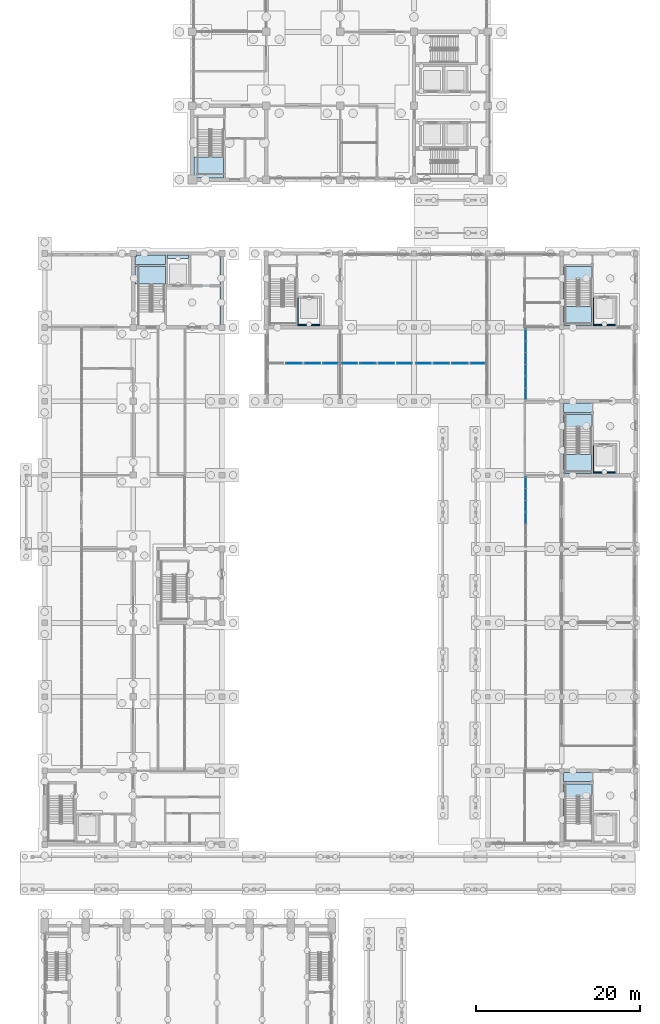
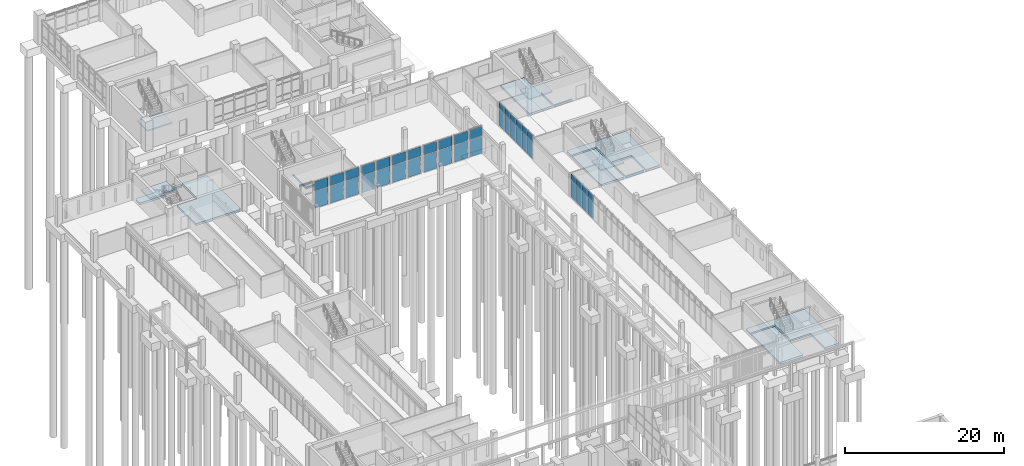
# One storey, part 61 of 106: 42 plates, 15 slabs, 17 elements without a shape of their own.
"""IFC4 building model written with IfcOpenShell, lengths in metres."""

from ifc_helpers import new_model, si_unit, direction, frame, origin, origin_2d, place, context, subcontext, project, spatial, polyline, rectangle, outline, extrude, material, layer, layer_set, type_object, element, aggregate, save


model = new_model("IFC4")

# Units and contexts
model_context = context("Model", 3, precision=1e-05, world=origin(), true_north=direction((0.0, 1.0)))
body_context = subcontext(model_context, "Body", "Model", "MODEL_VIEW")
ifc_project = project(units=[si_unit("LENGTHUNIT", "METRE"), si_unit("AREAUNIT", "SQUARE_METRE"), si_unit("VOLUMEUNIT", "CUBIC_METRE"), si_unit("PLANEANGLEUNIT", "RADIAN"), si_unit("MASSUNIT", "GRAM", prefix="KILO")], contexts=[model_context])

# Site, building, storey
site_placement = place(None, origin())
site = spatial("IfcSite", under=ifc_project, at=site_placement, CompositionType="ELEMENT")
building_placement = place(site_placement, origin())
building = spatial("IfcBuilding", under=site, at=building_placement, Name="Merrow Basin Faculty of Sciences", CompositionType="ELEMENT")
storey_placement = place(building_placement, origin())
storey = spatial("IfcBuildingStorey", under=building, at=storey_placement, Name="L00", CompositionType="ELEMENT", Elevation=0.0)

# Slabs
ifc_material_1 = material(Name="Concrete C40/50", Category="concrete")
ifc_layer_1 = layer(ifc_material_1, 0.300048828125)
ifc_layer_set_1 = layer_set([ifc_layer_1], Name="Ground slab 300 Concrete C40/50")
slab_type_1 = type_object("IfcSlabType", Name="Ground slab 300 Concrete C40/50", PredefinedType="BASESLAB", material=ifc_layer_set_1)
slab_1_placement = place(storey_placement, frame((0.0, 0.0, -0.300048828125)))
element("IfcSlab", 1, at=slab_1_placement, inside=storey, type_object=slab_type_1, Name="SL3 ground L00 004", PredefinedType="BASESLAB", context=body_context, shape_type="SweptSolid", body=[
    extrude(outline(polyline([(63.27490234375, 69.800048828125), (71.72509765625, 69.800048828125), (71.72509765625, 69.72509765625), (71.800048828125, 69.72509765625), (71.800048828125, 61.27490234375), (71.72509765625, 61.27490234375), (71.72509765625, 61.199951171875), (69.75, 61.199951171875), (69.75, 64.60009765625), (69.75, 64.85009765625), (66.85009765625, 64.85009765625), (66.85009765625, 68.39990234375), (66.85009765625, 68.64990234375), (63.199951171875, 68.64990234375), (63.199951171875, 69.72509765625), (63.27490234375, 69.72509765625), (63.27490234375, 69.800048828125)])), origin(), (0.0, 0.0, 1.0), 0.300048828125),
])
slab_2_placement = place(storey_placement, frame((0.0, 0.0, -0.300048828125)))
element("IfcSlab", 2, at=slab_2_placement, inside=storey, type_object=slab_type_1, Name="SL3 ground L00 005", PredefinedType="BASESLAB", context=body_context, shape_type="SweptSolid", body=[
    extrude(outline(polyline([(63.27490234375, 114.72509765625), (63.27490234375, 114.800048828125), (71.72509765625, 114.800048828125), (71.72509765625, 114.72509765625), (71.800048828125, 114.72509765625), (71.800048828125, 106.27490234375), (71.72509765625, 106.27490234375), (71.72509765625, 106.199951171875), (69.75, 106.199951171875), (69.75, 109.60009765625), (69.75, 109.85009765625), (66.85009765625, 109.85009765625), (66.85009765625, 113.39990234375), (66.85009765625, 113.64990234375), (63.199951171875, 113.64990234375), (63.199951171875, 114.72509765625), (63.27490234375, 114.72509765625)])), origin(), (0.0, 0.0, 1.0), 0.300048828125),
])
slab_3_placement = place(storey_placement, frame((0.0, 0.0, -0.300048828125)))
element("IfcSlab", 3, at=slab_3_placement, inside=storey, type_object=slab_type_1, Name="SL3 ground L00 007", PredefinedType="BASESLAB", context=body_context, shape_type="SweptSolid", body=[
    extrude(outline(polyline([(63.199951171875, 61.27490234375), (63.199951171875, 68.39990234375), (66.60009765625, 68.39990234375), (66.60009765625, 61.199951171875), (63.27490234375, 61.199951171875), (63.27490234375, 61.27490234375), (63.199951171875, 61.27490234375)])), origin(), (0.0, 0.0, 1.0), 0.300048828125),
])
slab_4_placement = place(storey_placement, frame((0.0, 0.0, -0.300048828125)))
element("IfcSlab", 4, at=slab_4_placement, inside=storey, type_object=slab_type_1, Name="SL3 ground L00 008", PredefinedType="BASESLAB", context=body_context, shape_type="SweptSolid", body=[
    extrude(outline(polyline([(63.27490234375, 106.27490234375), (63.199951171875, 106.27490234375), (63.199951171875, 113.39990234375), (66.60009765625, 113.39990234375), (66.60009765625, 106.199951171875), (63.27490234375, 106.199951171875), (63.27490234375, 106.27490234375)])), origin(), (0.0, 0.0, 1.0), 0.300048828125),
])
slab_5_placement = place(storey_placement, frame((0.0, 0.0, -0.300048828125)))
element("IfcSlab", 5, at=slab_5_placement, inside=storey, type_object=slab_type_1, Name="SL3 ground L00 009", PredefinedType="BASESLAB", context=body_context, shape_type="SweptSolid", body=[
    extrude(outline(polyline([(66.60009765625, 124.199951171875), (63.27490234375, 124.199951171875), (63.27490234375, 124.27490234375), (63.199951171875, 124.27490234375), (63.199951171875, 131.39990234375), (66.60009765625, 131.39990234375), (66.60009765625, 124.199951171875)])), origin(), (0.0, 0.0, 1.0), 0.300048828125),
])
slab_6_placement = place(storey_placement, frame((0.0, 0.0, -0.300048828125)))
element("IfcSlab", 6, at=slab_6_placement, inside=storey, type_object=slab_type_1, Name="SL3 ground L00 010", PredefinedType="BASESLAB", context=body_context, shape_type="SweptSolid", body=[
    extrude(outline(polyline([(69.5, 106.199951171875), (66.85009765625, 106.199951171875), (66.85009765625, 109.60009765625), (66.89990234375, 109.60009765625), (66.89990234375, 106.39990234375), (69.5, 106.39990234375), (69.5, 106.199951171875)])), origin(), (0.0, 0.0, 1.0), 0.300048828125),
])
slab_7_placement = place(storey_placement, frame((0.0, 0.0, -0.300048828125)))
element("IfcSlab", 7, at=slab_7_placement, inside=storey, type_object=slab_type_1, Name="SL3 ground L00 011", PredefinedType="BASESLAB", context=body_context, shape_type="SweptSolid", body=[
    extrude(outline(polyline([(69.5, 124.199951171875), (66.85009765625, 124.199951171875), (66.85009765625, 127.60009765625), (66.89990234375, 127.60009765625), (66.89990234375, 124.39990234375), (69.5, 124.39990234375), (69.5, 124.199951171875)])), origin(), (0.0, 0.0, 1.0), 0.300048828125),
])
slab_8_placement = place(storey_placement, frame((0.0, 0.0, -0.300048828125)))
element("IfcSlab", 8, at=slab_8_placement, inside=storey, type_object=slab_type_1, Name="SL3 ground L00 013", PredefinedType="BASESLAB", context=body_context, shape_type="SweptSolid", body=[
    extrude(outline(polyline([(33.5, 124.199951171875), (30.85009765625, 124.199951171875), (30.85009765625, 127.60009765625), (30.89990234375, 127.60009765625), (30.89990234375, 124.39990234375), (33.5, 124.39990234375), (33.5, 124.199951171875)])), origin(), (0.0, 0.0, 1.0), 0.300048828125),
])
slab_9_placement = place(storey_placement, frame((0.0, 0.0, -0.300048828125)))
element("IfcSlab", 9, at=slab_9_placement, inside=storey, type_object=slab_type_1, Name="SL3 ground L00 003", PredefinedType="BASESLAB", context=body_context, shape_type="SweptSolid", body=[
    extrude(outline(polyline([(21.39990234375, 124.35009765625), (21.25, 124.35009765625), (21.25, 124.199951171875), (14.85009765625, 124.199951171875), (14.85009765625, 128.949951171875), (17.800048828125, 128.949951171875), (17.800048828125, 129.199951171875), (17.800048828125, 132.800048828125), (21.25, 132.800048828125), (21.25, 132.64990234375), (21.39990234375, 132.64990234375), (21.39990234375, 124.35009765625)])), origin(), (0.0, 0.0, 1.0), 0.300048828125),
])
slab_10_placement = place(storey_placement, frame((0.0, 0.0, -0.300048828125)))
element("IfcSlab", 10, at=slab_10_placement, inside=storey, type_object=slab_type_1, Name="SL3 ground L00 008", PredefinedType="BASESLAB", context=body_context, shape_type="SweptSolid", body=[
    extrude(outline(polyline([(11.0, 132.625), (11.175048828125, 132.625), (11.175048828125, 132.800048828125), (14.699951171875, 132.800048828125), (14.699951171875, 131.64990234375), (11.0, 131.64990234375), (11.0, 132.625)])), origin(), (0.0, 0.0, 1.0), 0.300048828125),
])
slab_11_placement = place(storey_placement, frame((0.0, 0.0, -0.300048828125)))
element("IfcSlab", 11, at=slab_11_placement, inside=storey, type_object=slab_type_1, Name="SL3 ground L00 009", PredefinedType="BASESLAB", context=body_context, shape_type="SweptSolid", body=[
    extrude(outline(polyline([(14.949951171875, 132.800048828125), (17.550048828125, 132.800048828125), (17.550048828125, 132.39990234375), (14.949951171875, 132.39990234375), (14.949951171875, 132.800048828125)])), origin(), (0.0, 0.0, 1.0), 0.300048828125),
])

# Curtain wall, plates
ifc_material_2 = material(Name="Aluminium alloy 6063", Category="aluminium")
curtain_wall_type = type_object("IfcCurtainWallType", Name="Arcade curtain wall 220", PredefinedType="NOTDEFINED", material=ifc_material_2)
curtain_wall_1_placement = place(storey_placement, origin())
curtain_wall_1 = element("IfcCurtainWall", 12, at=curtain_wall_1_placement, inside=storey, type_object=curtain_wall_type, Name="Arcade curtain wall L00 4", PredefinedType="NOTDEFINED")
ifc_material_3 = material(Name="Laminated safety glass", Category="glass")
ifc_layer_2 = layer(ifc_material_3, 0.035888671875)
ifc_layer_set_2 = layer_set([ifc_layer_2], Name="Laminated safety glass panel 36")
plate_type = type_object("IfcPlateType", Name="Laminated safety glass panel 36", PredefinedType="CURTAIN_PANEL", material=ifc_layer_set_2)
plate_1_placement = place(storey_placement, frame((58.610107421875, 100.783447265625, 0.06005859375), z_axis=(0.0, 0.0, 1.0), x_axis=(0.0, 1.0, 0.0)))
plate_1 = element("IfcPlate", 13, at=plate_1_placement, type_object=plate_type, Name="CW9 panel 3.1", PredefinedType="CURTAIN_PANEL", context=body_context, shape_type="SweptSolid", body=[
    extrude(rectangle(XDim=1.373291015625, YDim=0.035888671875, at=origin_2d()), origin(), (0.0, 0.0, 1.0), 2.610107421875),
])
plate_2_placement = place(storey_placement, frame((58.610107421875, 100.783447265625, 2.72998046875), z_axis=(0.0, 0.0, 1.0), x_axis=(0.0, 1.0, 0.0)))
plate_2 = element("IfcPlate", 14, at=plate_2_placement, type_object=plate_type, Name="CW9 panel 3.2", PredefinedType="CURTAIN_PANEL", context=body_context, shape_type="SweptSolid", body=[
    extrude(rectangle(XDim=1.373291015625, YDim=0.035888671875, at=origin_2d()), origin(), (0.0, 0.0, 1.0), 0.909912109375),
])
plate_3_placement = place(storey_placement, frame((58.610107421875, 102.216552734375, 0.06005859375), z_axis=(0.0, 0.0, 1.0), x_axis=(0.0, 1.0, 0.0)))
plate_3 = element("IfcPlate", 15, at=plate_3_placement, type_object=plate_type, Name="CW9 panel 4.1", PredefinedType="CURTAIN_PANEL", context=body_context, shape_type="SweptSolid", body=[
    extrude(rectangle(XDim=1.373291015625, YDim=0.035888671875, at=origin_2d()), origin(), (0.0, 0.0, 1.0), 2.610107421875),
])
plate_4_placement = place(storey_placement, frame((58.610107421875, 102.216552734375, 2.72998046875), z_axis=(0.0, 0.0, 1.0), x_axis=(0.0, 1.0, 0.0)))
plate_4 = element("IfcPlate", 16, at=plate_4_placement, type_object=plate_type, Name="CW9 panel 4.2", PredefinedType="CURTAIN_PANEL", context=body_context, shape_type="SweptSolid", body=[
    extrude(rectangle(XDim=1.373291015625, YDim=0.035888671875, at=origin_2d()), origin(), (0.0, 0.0, 1.0), 0.909912109375),
])
plate_5_placement = place(storey_placement, frame((58.610107421875, 103.64990234375, 0.06005859375), z_axis=(0.0, 0.0, 1.0), x_axis=(0.0, 1.0, 0.0)))
plate_5 = element("IfcPlate", 17, at=plate_5_placement, type_object=plate_type, Name="CW9 panel 5.1", PredefinedType="CURTAIN_PANEL", context=body_context, shape_type="SweptSolid", body=[
    extrude(rectangle(XDim=1.373291015625, YDim=0.035888671875, at=origin_2d()), origin(), (0.0, 0.0, 1.0), 2.610107421875),
])
plate_6_placement = place(storey_placement, frame((58.610107421875, 103.64990234375, 2.72998046875), z_axis=(0.0, 0.0, 1.0), x_axis=(0.0, 1.0, 0.0)))
plate_6 = element("IfcPlate", 18, at=plate_6_placement, type_object=plate_type, Name="CW9 panel 5.2", PredefinedType="CURTAIN_PANEL", context=body_context, shape_type="SweptSolid", body=[
    extrude(rectangle(XDim=1.373291015625, YDim=0.035888671875, at=origin_2d()), origin(), (0.0, 0.0, 1.0), 0.909912109375),
])
plate_7_placement = place(storey_placement, frame((58.610107421875, 105.068359375, 0.06005859375), z_axis=(0.0, 0.0, 1.0), x_axis=(0.0, 1.0, 0.0)))
plate_7 = element("IfcPlate", 19, at=plate_7_placement, type_object=plate_type, Name="CW9 panel 6.1", PredefinedType="CURTAIN_PANEL", context=body_context, shape_type="SweptSolid", body=[
    extrude(rectangle(XDim=1.34326171875, YDim=0.035888671875, at=origin_2d()), origin(), (0.0, 0.0, 1.0), 2.610107421875),
])
plate_8_placement = place(storey_placement, frame((58.610107421875, 105.068359375, 2.72998046875), z_axis=(0.0, 0.0, 1.0), x_axis=(0.0, 1.0, 0.0)))
plate_8 = element("IfcPlate", 20, at=plate_8_placement, type_object=plate_type, Name="CW9 panel 6.2", PredefinedType="CURTAIN_PANEL", context=body_context, shape_type="SweptSolid", body=[
    extrude(rectangle(XDim=1.34326171875, YDim=0.035888671875, at=origin_2d()), origin(), (0.0, 0.0, 1.0), 0.909912109375),
])
aggregate(curtain_wall_1, [plate_1, plate_2, plate_3, plate_4, plate_5, plate_6, plate_7, plate_8])

curtain_wall_2_placement = place(storey_placement, origin())
curtain_wall_2 = element("IfcCurtainWall", 21, at=curtain_wall_2_placement, inside=storey, type_object=curtain_wall_type, Name="Arcade curtain wall L00 5", PredefinedType="NOTDEFINED")
plate_9_placement = place(storey_placement, frame((58.610107421875, 115.931640625, 0.06005859375), z_axis=(0.0, 0.0, 1.0), x_axis=(0.0, 1.0, 0.0)))
plate_9 = element("IfcPlate", 22, at=plate_9_placement, type_object=plate_type, Name="CW9 panel 1.1", PredefinedType="CURTAIN_PANEL", context=body_context, shape_type="SweptSolid", body=[
    extrude(rectangle(XDim=1.34326171875, YDim=0.035888671875, at=origin_2d()), origin(), (0.0, 0.0, 1.0), 2.610107421875),
])
plate_10_placement = place(storey_placement, frame((58.610107421875, 115.931640625, 2.72998046875), z_axis=(0.0, 0.0, 1.0), x_axis=(0.0, 1.0, 0.0)))
plate_10 = element("IfcPlate", 23, at=plate_10_placement, type_object=plate_type, Name="CW9 panel 1.2", PredefinedType="CURTAIN_PANEL", context=body_context, shape_type="SweptSolid", body=[
    extrude(rectangle(XDim=1.34326171875, YDim=0.035888671875, at=origin_2d()), origin(), (0.0, 0.0, 1.0), 0.909912109375),
])
plate_11_placement = place(storey_placement, frame((58.610107421875, 117.35009765625, 0.06005859375), z_axis=(0.0, 0.0, 1.0), x_axis=(0.0, 1.0, 0.0)))
plate_11 = element("IfcPlate", 24, at=plate_11_placement, type_object=plate_type, Name="CW9 panel 2.1", PredefinedType="CURTAIN_PANEL", context=body_context, shape_type="SweptSolid", body=[
    extrude(rectangle(XDim=1.373291015625, YDim=0.035888671875, at=origin_2d()), origin(), (0.0, 0.0, 1.0), 2.610107421875),
])
plate_12_placement = place(storey_placement, frame((58.610107421875, 117.35009765625, 2.72998046875), z_axis=(0.0, 0.0, 1.0), x_axis=(0.0, 1.0, 0.0)))
plate_12 = element("IfcPlate", 25, at=plate_12_placement, type_object=plate_type, Name="CW9 panel 2.2", PredefinedType="CURTAIN_PANEL", context=body_context, shape_type="SweptSolid", body=[
    extrude(rectangle(XDim=1.373291015625, YDim=0.035888671875, at=origin_2d()), origin(), (0.0, 0.0, 1.0), 0.909912109375),
])
plate_13_placement = place(storey_placement, frame((58.610107421875, 118.783447265625, 0.06005859375), z_axis=(0.0, 0.0, 1.0), x_axis=(0.0, 1.0, 0.0)))
plate_13 = element("IfcPlate", 26, at=plate_13_placement, type_object=plate_type, Name="CW9 panel 3.1", PredefinedType="CURTAIN_PANEL", context=body_context, shape_type="SweptSolid", body=[
    extrude(rectangle(XDim=1.373291015625, YDim=0.035888671875, at=origin_2d()), origin(), (0.0, 0.0, 1.0), 2.610107421875),
])
plate_14_placement = place(storey_placement, frame((58.610107421875, 118.783447265625, 2.72998046875), z_axis=(0.0, 0.0, 1.0), x_axis=(0.0, 1.0, 0.0)))
plate_14 = element("IfcPlate", 27, at=plate_14_placement, type_object=plate_type, Name="CW9 panel 3.2", PredefinedType="CURTAIN_PANEL", context=body_context, shape_type="SweptSolid", body=[
    extrude(rectangle(XDim=1.373291015625, YDim=0.035888671875, at=origin_2d()), origin(), (0.0, 0.0, 1.0), 0.909912109375),
])
plate_15_placement = place(storey_placement, frame((58.610107421875, 120.216552734375, 0.06005859375), z_axis=(0.0, 0.0, 1.0), x_axis=(0.0, 1.0, 0.0)))
plate_15 = element("IfcPlate", 28, at=plate_15_placement, type_object=plate_type, Name="CW9 panel 4.1", PredefinedType="CURTAIN_PANEL", context=body_context, shape_type="SweptSolid", body=[
    extrude(rectangle(XDim=1.373291015625, YDim=0.035888671875, at=origin_2d()), origin(), (0.0, 0.0, 1.0), 2.610107421875),
])
plate_16_placement = place(storey_placement, frame((58.610107421875, 120.216552734375, 2.72998046875), z_axis=(0.0, 0.0, 1.0), x_axis=(0.0, 1.0, 0.0)))
plate_16 = element("IfcPlate", 29, at=plate_16_placement, type_object=plate_type, Name="CW9 panel 4.2", PredefinedType="CURTAIN_PANEL", context=body_context, shape_type="SweptSolid", body=[
    extrude(rectangle(XDim=1.373291015625, YDim=0.035888671875, at=origin_2d()), origin(), (0.0, 0.0, 1.0), 0.909912109375),
])
plate_17_placement = place(storey_placement, frame((58.610107421875, 121.64990234375, 0.06005859375), z_axis=(0.0, 0.0, 1.0), x_axis=(0.0, 1.0, 0.0)))
plate_17 = element("IfcPlate", 30, at=plate_17_placement, type_object=plate_type, Name="CW9 panel 5.1", PredefinedType="CURTAIN_PANEL", context=body_context, shape_type="SweptSolid", body=[
    extrude(rectangle(XDim=1.373291015625, YDim=0.035888671875, at=origin_2d()), origin(), (0.0, 0.0, 1.0), 2.610107421875),
])
plate_18_placement = place(storey_placement, frame((58.610107421875, 121.64990234375, 2.72998046875), z_axis=(0.0, 0.0, 1.0), x_axis=(0.0, 1.0, 0.0)))
plate_18 = element("IfcPlate", 31, at=plate_18_placement, type_object=plate_type, Name="CW9 panel 5.2", PredefinedType="CURTAIN_PANEL", context=body_context, shape_type="SweptSolid", body=[
    extrude(rectangle(XDim=1.373291015625, YDim=0.035888671875, at=origin_2d()), origin(), (0.0, 0.0, 1.0), 0.909912109375),
])
plate_19_placement = place(storey_placement, frame((58.610107421875, 123.068359375, 0.06005859375), z_axis=(0.0, 0.0, 1.0), x_axis=(0.0, 1.0, 0.0)))
plate_19 = element("IfcPlate", 32, at=plate_19_placement, type_object=plate_type, Name="CW9 panel 6.1", PredefinedType="CURTAIN_PANEL", context=body_context, shape_type="SweptSolid", body=[
    extrude(rectangle(XDim=1.34326171875, YDim=0.035888671875, at=origin_2d()), origin(), (0.0, 0.0, 1.0), 2.610107421875),
])
plate_20_placement = place(storey_placement, frame((58.610107421875, 123.068359375, 2.72998046875), z_axis=(0.0, 0.0, 1.0), x_axis=(0.0, 1.0, 0.0)))
plate_20 = element("IfcPlate", 33, at=plate_20_placement, type_object=plate_type, Name="CW9 panel 6.2", PredefinedType="CURTAIN_PANEL", context=body_context, shape_type="SweptSolid", body=[
    extrude(rectangle(XDim=1.34326171875, YDim=0.035888671875, at=origin_2d()), origin(), (0.0, 0.0, 1.0), 0.909912109375),
])
aggregate(curtain_wall_2, [plate_9, plate_10, plate_11, plate_12, plate_13, plate_14, plate_15, plate_16, plate_17, plate_18, plate_19, plate_20])

curtain_wall_3_placement = place(storey_placement, origin())
curtain_wall_3 = element("IfcCurtainWall", 34, at=curtain_wall_3_placement, inside=storey, type_object=curtain_wall_type, Name="Arcade curtain wall L00 2", PredefinedType="NOTDEFINED")
plate_21_placement = place(storey_placement, frame((30.375, 119.610107421875, 0.06005859375), z_axis=(0.0, 0.0, 1.0), x_axis=(1.0, 0.0, 0.0)))
plate_21 = element("IfcPlate", 35, at=plate_21_placement, type_object=plate_type, Name="CW9 panel 1.1", PredefinedType="CURTAIN_PANEL", context=body_context, shape_type="SweptSolid", body=[
    extrude(rectangle(XDim=1.8798828125, YDim=0.035888671875, at=origin_2d()), origin(), (0.0, 0.0, 1.0), 2.610107421875),
])
plate_22_placement = place(storey_placement, frame((30.375, 119.610107421875, 2.72998046875), z_axis=(0.0, 0.0, 1.0), x_axis=(1.0, 0.0, 0.0)))
plate_22 = element("IfcPlate", 36, at=plate_22_placement, type_object=plate_type, Name="CW9 panel 1.2", PredefinedType="CURTAIN_PANEL", context=body_context, shape_type="SweptSolid", body=[
    extrude(rectangle(XDim=1.8798828125, YDim=0.035888671875, at=origin_2d()), origin(), (0.0, 0.0, 1.0), 1.4599609375),
])
aggregate(curtain_wall_3, [plate_21, plate_22])

curtain_wall_4_placement = place(storey_placement, origin())
curtain_wall_4 = element("IfcCurtainWall", 37, at=curtain_wall_4_placement, inside=storey, type_object=curtain_wall_type, Name="Arcade curtain wall L00 3", PredefinedType="NOTDEFINED")
plate_23_placement = place(storey_placement, frame((32.625, 119.610107421875, 0.06005859375), z_axis=(0.0, 0.0, 1.0), x_axis=(1.0, 0.0, 0.0)))
plate_23 = element("IfcPlate", 38, at=plate_23_placement, type_object=plate_type, Name="CW9 panel 1.1", PredefinedType="CURTAIN_PANEL", context=body_context, shape_type="SweptSolid", body=[
    extrude(rectangle(XDim=1.8798828125, YDim=0.035888671875, at=origin_2d()), origin(), (0.0, 0.0, 1.0), 2.610107421875),
])
plate_24_placement = place(storey_placement, frame((32.625, 119.610107421875, 2.72998046875), z_axis=(0.0, 0.0, 1.0), x_axis=(1.0, 0.0, 0.0)))
plate_24 = element("IfcPlate", 39, at=plate_24_placement, type_object=plate_type, Name="CW9 panel 1.2", PredefinedType="CURTAIN_PANEL", context=body_context, shape_type="SweptSolid", body=[
    extrude(rectangle(XDim=1.8798828125, YDim=0.035888671875, at=origin_2d()), origin(), (0.0, 0.0, 1.0), 1.4599609375),
])
aggregate(curtain_wall_4, [plate_23, plate_24])

curtain_wall_5_placement = place(storey_placement, origin())
curtain_wall_5 = element("IfcCurtainWall", 40, at=curtain_wall_5_placement, inside=storey, type_object=curtain_wall_type, Name="Arcade curtain wall L00 4", PredefinedType="NOTDEFINED")
plate_25_placement = place(storey_placement, frame((34.83740234375, 119.610107421875, 0.06005859375), z_axis=(0.0, 0.0, 1.0), x_axis=(1.0, 0.0, 0.0)))
plate_25 = element("IfcPlate", 41, at=plate_25_placement, type_object=plate_type, Name="CW9 panel 1.1", PredefinedType="CURTAIN_PANEL", context=body_context, shape_type="SweptSolid", body=[
    extrude(rectangle(XDim=1.804931640625, YDim=0.035888671875, at=origin_2d()), origin(), (0.0, 0.0, 1.0), 2.610107421875),
])
plate_26_placement = place(storey_placement, frame((34.83740234375, 119.610107421875, 2.72998046875), z_axis=(0.0, 0.0, 1.0), x_axis=(1.0, 0.0, 0.0)))
plate_26 = element("IfcPlate", 42, at=plate_26_placement, type_object=plate_type, Name="CW9 panel 1.2", PredefinedType="CURTAIN_PANEL", context=body_context, shape_type="SweptSolid", body=[
    extrude(rectangle(XDim=1.804931640625, YDim=0.035888671875, at=origin_2d()), origin(), (0.0, 0.0, 1.0), 1.4599609375),
])
aggregate(curtain_wall_5, [plate_25, plate_26])

curtain_wall_6_placement = place(storey_placement, origin())
curtain_wall_6 = element("IfcCurtainWall", 43, at=curtain_wall_6_placement, inside=storey, type_object=curtain_wall_type, Name="Arcade curtain wall L00 5", PredefinedType="NOTDEFINED")
plate_27_placement = place(storey_placement, frame((37.16259765625, 119.610107421875, 0.06005859375), z_axis=(0.0, 0.0, 1.0), x_axis=(1.0, 0.0, 0.0)))
plate_27 = element("IfcPlate", 44, at=plate_27_placement, type_object=plate_type, Name="CW9 panel 1.1", PredefinedType="CURTAIN_PANEL", context=body_context, shape_type="SweptSolid", body=[
    extrude(rectangle(XDim=1.804931640625, YDim=0.035888671875, at=origin_2d()), origin(), (0.0, 0.0, 1.0), 2.610107421875),
])
plate_28_placement = place(storey_placement, frame((37.16259765625, 119.610107421875, 2.72998046875), z_axis=(0.0, 0.0, 1.0), x_axis=(1.0, 0.0, 0.0)))
plate_28 = element("IfcPlate", 45, at=plate_28_placement, type_object=plate_type, Name="CW9 panel 1.2", PredefinedType="CURTAIN_PANEL", context=body_context, shape_type="SweptSolid", body=[
    extrude(rectangle(XDim=1.804931640625, YDim=0.035888671875, at=origin_2d()), origin(), (0.0, 0.0, 1.0), 1.4599609375),
])
aggregate(curtain_wall_6, [plate_27, plate_28])

curtain_wall_7_placement = place(storey_placement, origin())
curtain_wall_7 = element("IfcCurtainWall", 46, at=curtain_wall_7_placement, inside=storey, type_object=curtain_wall_type, Name="Arcade curtain wall L00 6", PredefinedType="NOTDEFINED")
plate_29_placement = place(storey_placement, frame((39.375, 119.610107421875, 0.06005859375), z_axis=(0.0, 0.0, 1.0), x_axis=(1.0, 0.0, 0.0)))
plate_29 = element("IfcPlate", 47, at=plate_29_placement, type_object=plate_type, Name="CW9 panel 1.1", PredefinedType="CURTAIN_PANEL", context=body_context, shape_type="SweptSolid", body=[
    extrude(rectangle(XDim=1.8798828125, YDim=0.035888671875, at=origin_2d()), origin(), (0.0, 0.0, 1.0), 2.610107421875),
])
plate_30_placement = place(storey_placement, frame((39.375, 119.610107421875, 2.72998046875), z_axis=(0.0, 0.0, 1.0), x_axis=(1.0, 0.0, 0.0)))
plate_30 = element("IfcPlate", 48, at=plate_30_placement, type_object=plate_type, Name="CW9 panel 1.2", PredefinedType="CURTAIN_PANEL", context=body_context, shape_type="SweptSolid", body=[
    extrude(rectangle(XDim=1.8798828125, YDim=0.035888671875, at=origin_2d()), origin(), (0.0, 0.0, 1.0), 1.4599609375),
])
aggregate(curtain_wall_7, [plate_29, plate_30])

curtain_wall_8_placement = place(storey_placement, origin())
curtain_wall_8 = element("IfcCurtainWall", 49, at=curtain_wall_8_placement, inside=storey, type_object=curtain_wall_type, Name="Arcade curtain wall L00 7", PredefinedType="NOTDEFINED")
plate_31_placement = place(storey_placement, frame((41.625, 119.610107421875, 0.06005859375), z_axis=(0.0, 0.0, 1.0), x_axis=(1.0, 0.0, 0.0)))
plate_31 = element("IfcPlate", 50, at=plate_31_placement, type_object=plate_type, Name="CW9 panel 1.1", PredefinedType="CURTAIN_PANEL", context=body_context, shape_type="SweptSolid", body=[
    extrude(rectangle(XDim=1.8798828125, YDim=0.035888671875, at=origin_2d()), origin(), (0.0, 0.0, 1.0), 2.610107421875),
])
plate_32_placement = place(storey_placement, frame((41.625, 119.610107421875, 2.72998046875), z_axis=(0.0, 0.0, 1.0), x_axis=(1.0, 0.0, 0.0)))
plate_32 = element("IfcPlate", 51, at=plate_32_placement, type_object=plate_type, Name="CW9 panel 1.2", PredefinedType="CURTAIN_PANEL", context=body_context, shape_type="SweptSolid", body=[
    extrude(rectangle(XDim=1.8798828125, YDim=0.035888671875, at=origin_2d()), origin(), (0.0, 0.0, 1.0), 1.4599609375),
])
aggregate(curtain_wall_8, [plate_31, plate_32])

curtain_wall_9_placement = place(storey_placement, origin())
curtain_wall_9 = element("IfcCurtainWall", 52, at=curtain_wall_9_placement, inside=storey, type_object=curtain_wall_type, Name="Arcade curtain wall L00 8", PredefinedType="NOTDEFINED")
plate_33_placement = place(storey_placement, frame((43.83740234375, 119.610107421875, 0.06005859375), z_axis=(0.0, 0.0, 1.0), x_axis=(1.0, 0.0, 0.0)))
plate_33 = element("IfcPlate", 53, at=plate_33_placement, type_object=plate_type, Name="CW9 panel 1.1", PredefinedType="CURTAIN_PANEL", context=body_context, shape_type="SweptSolid", body=[
    extrude(rectangle(XDim=1.804931640625, YDim=0.035888671875, at=origin_2d()), origin(), (0.0, 0.0, 1.0), 2.610107421875),
])
plate_34_placement = place(storey_placement, frame((43.83740234375, 119.610107421875, 2.72998046875), z_axis=(0.0, 0.0, 1.0), x_axis=(1.0, 0.0, 0.0)))
plate_34 = element("IfcPlate", 54, at=plate_34_placement, type_object=plate_type, Name="CW9 panel 1.2", PredefinedType="CURTAIN_PANEL", context=body_context, shape_type="SweptSolid", body=[
    extrude(rectangle(XDim=1.804931640625, YDim=0.035888671875, at=origin_2d()), origin(), (0.0, 0.0, 1.0), 1.4599609375),
])
aggregate(curtain_wall_9, [plate_33, plate_34])

curtain_wall_10_placement = place(storey_placement, origin())
curtain_wall_10 = element("IfcCurtainWall", 55, at=curtain_wall_10_placement, inside=storey, type_object=curtain_wall_type, Name="Arcade curtain wall L00 9", PredefinedType="NOTDEFINED")
plate_35_placement = place(storey_placement, frame((46.16259765625, 119.610107421875, 0.06005859375), z_axis=(0.0, 0.0, 1.0), x_axis=(1.0, 0.0, 0.0)))
plate_35 = element("IfcPlate", 56, at=plate_35_placement, type_object=plate_type, Name="CW9 panel 1.1", PredefinedType="CURTAIN_PANEL", context=body_context, shape_type="SweptSolid", body=[
    extrude(rectangle(XDim=1.804931640625, YDim=0.035888671875, at=origin_2d()), origin(), (0.0, 0.0, 1.0), 2.610107421875),
])
plate_36_placement = place(storey_placement, frame((46.16259765625, 119.610107421875, 2.72998046875), z_axis=(0.0, 0.0, 1.0), x_axis=(1.0, 0.0, 0.0)))
plate_36 = element("IfcPlate", 57, at=plate_36_placement, type_object=plate_type, Name="CW9 panel 1.2", PredefinedType="CURTAIN_PANEL", context=body_context, shape_type="SweptSolid", body=[
    extrude(rectangle(XDim=1.804931640625, YDim=0.035888671875, at=origin_2d()), origin(), (0.0, 0.0, 1.0), 1.4599609375),
])
aggregate(curtain_wall_10, [plate_35, plate_36])

curtain_wall_11_placement = place(storey_placement, origin())
curtain_wall_11 = element("IfcCurtainWall", 58, at=curtain_wall_11_placement, inside=storey, type_object=curtain_wall_type, Name="Arcade curtain wall L00 10", PredefinedType="NOTDEFINED")
plate_37_placement = place(storey_placement, frame((48.375, 119.610107421875, 0.06005859375), z_axis=(0.0, 0.0, 1.0), x_axis=(1.0, 0.0, 0.0)))
plate_37 = element("IfcPlate", 59, at=plate_37_placement, type_object=plate_type, Name="CW9 panel 1.1", PredefinedType="CURTAIN_PANEL", context=body_context, shape_type="SweptSolid", body=[
    extrude(rectangle(XDim=1.8798828125, YDim=0.035888671875, at=origin_2d()), origin(), (0.0, 0.0, 1.0), 2.610107421875),
])
plate_38_placement = place(storey_placement, frame((48.375, 119.610107421875, 2.72998046875), z_axis=(0.0, 0.0, 1.0), x_axis=(1.0, 0.0, 0.0)))
plate_38 = element("IfcPlate", 60, at=plate_38_placement, type_object=plate_type, Name="CW9 panel 1.2", PredefinedType="CURTAIN_PANEL", context=body_context, shape_type="SweptSolid", body=[
    extrude(rectangle(XDim=1.8798828125, YDim=0.035888671875, at=origin_2d()), origin(), (0.0, 0.0, 1.0), 1.4599609375),
])
aggregate(curtain_wall_11, [plate_37, plate_38])

curtain_wall_12_placement = place(storey_placement, origin())
curtain_wall_12 = element("IfcCurtainWall", 61, at=curtain_wall_12_placement, inside=storey, type_object=curtain_wall_type, Name="Arcade curtain wall L00 11", PredefinedType="NOTDEFINED")
plate_39_placement = place(storey_placement, frame((50.625, 119.610107421875, 0.06005859375), z_axis=(0.0, 0.0, 1.0), x_axis=(1.0, 0.0, 0.0)))
plate_39 = element("IfcPlate", 62, at=plate_39_placement, type_object=plate_type, Name="CW9 panel 1.1", PredefinedType="CURTAIN_PANEL", context=body_context, shape_type="SweptSolid", body=[
    extrude(rectangle(XDim=1.8798828125, YDim=0.035888671875, at=origin_2d()), origin(), (0.0, 0.0, 1.0), 2.610107421875),
])
plate_40_placement = place(storey_placement, frame((50.625, 119.610107421875, 2.72998046875), z_axis=(0.0, 0.0, 1.0), x_axis=(1.0, 0.0, 0.0)))
plate_40 = element("IfcPlate", 63, at=plate_40_placement, type_object=plate_type, Name="CW9 panel 1.2", PredefinedType="CURTAIN_PANEL", context=body_context, shape_type="SweptSolid", body=[
    extrude(rectangle(XDim=1.8798828125, YDim=0.035888671875, at=origin_2d()), origin(), (0.0, 0.0, 1.0), 1.4599609375),
])
aggregate(curtain_wall_12, [plate_39, plate_40])

curtain_wall_13_placement = place(storey_placement, origin())
curtain_wall_13 = element("IfcCurtainWall", 64, at=curtain_wall_13_placement, inside=storey, type_object=curtain_wall_type, Name="Arcade curtain wall L00 12", PredefinedType="NOTDEFINED")
plate_41_placement = place(storey_placement, frame((52.78759765625, 119.610107421875, 0.06005859375), z_axis=(0.0, 0.0, 1.0), x_axis=(1.0, 0.0, 0.0)))
plate_41 = element("IfcPlate", 65, at=plate_41_placement, type_object=plate_type, Name="CW9 panel 1.1", PredefinedType="CURTAIN_PANEL", context=body_context, shape_type="SweptSolid", body=[
    extrude(rectangle(XDim=1.705078125, YDim=0.035888671875, at=origin_2d()), origin(), (0.0, 0.0, 1.0), 2.610107421875),
])
plate_42_placement = place(storey_placement, frame((52.78759765625, 119.610107421875, 2.72998046875), z_axis=(0.0, 0.0, 1.0), x_axis=(1.0, 0.0, 0.0)))
plate_42 = element("IfcPlate", 66, at=plate_42_placement, type_object=plate_type, Name="CW9 panel 1.2", PredefinedType="CURTAIN_PANEL", context=body_context, shape_type="SweptSolid", body=[
    extrude(rectangle(XDim=1.705078125, YDim=0.035888671875, at=origin_2d()), origin(), (0.0, 0.0, 1.0), 1.4599609375),
])
aggregate(curtain_wall_13, [plate_41, plate_42])

# Stair, slab
ifc_material_4 = material(Name="Concrete C40/50", Category="concrete")
stair_type = type_object("IfcStairType", Name="Concrete dog-leg stair Concrete C40/50", PredefinedType="HALF_TURN_STAIR", material=ifc_material_4)
stair_1_placement = place(storey_placement, origin())
stair_1 = element("IfcStair", 67, at=stair_1_placement, inside=storey, type_object=stair_type, Name="L00 Exit stair N", PredefinedType="HALF_TURN_STAIR")
ifc_material_5 = material(Name="Concrete C40/50", Category="concrete")
ifc_layer_3 = layer(ifc_material_5, 0.199951171875)
ifc_layer_set_3 = layer_set([ifc_layer_3], Name="Stair landing 200 Concrete C40/50")
slab_type_2 = type_object("IfcSlabType", Name="Stair landing 200 Concrete C40/50", PredefinedType="LANDING", material=ifc_layer_set_3)
slab_12_placement = place(storey_placement, frame((0.0, 0.0, 2.050048828125)))
slab_12 = element("IfcSlab", 68, at=slab_12_placement, type_object=slab_type_2, Name="ST-V4-N landing 1", PredefinedType="LANDING", context=body_context, shape_type="SweptSolid", body=[
    extrude(outline(polyline([(11.0, 129.260009765625), (14.699951171875, 129.260009765625), (14.699951171875, 131.39990234375), (11.0, 131.39990234375), (11.0, 129.260009765625)])), origin(), (0.0, 0.0, 1.0), 0.199951171875),
])
aggregate(stair_1, [slab_12])

stair_2_placement = place(storey_placement, origin())
stair_2 = element("IfcStair", 69, at=stair_2_placement, inside=storey, type_object=stair_type, Name="L00 Exit stair M", PredefinedType="HALF_TURN_STAIR")
slab_13_placement = place(storey_placement, frame((0.0, 0.0, 2.050048828125)))
slab_13 = element("IfcSlab", 70, at=slab_13_placement, type_object=slab_type_2, Name="ST-V2-M landing 1", PredefinedType="LANDING", context=body_context, shape_type="SweptSolid", body=[
    extrude(outline(polyline([(63.199951171875, 106.199951171875), (66.60009765625, 106.199951171875), (66.60009765625, 108.5400390625), (63.199951171875, 108.5400390625), (63.199951171875, 106.199951171875)])), origin(), (0.0, 0.0, 1.0), 0.199951171875),
])
aggregate(stair_2, [slab_13])

stair_3_placement = place(storey_placement, origin())
stair_3 = element("IfcStair", 71, at=stair_3_placement, inside=storey, type_object=stair_type, Name="L00 Exit stair N", PredefinedType="HALF_TURN_STAIR")
slab_14_placement = place(storey_placement, frame((0.0, 0.0, 2.050048828125)))
slab_14 = element("IfcSlab", 72, at=slab_14_placement, type_object=slab_type_2, Name="ST-V2-N landing 1", PredefinedType="LANDING", context=body_context, shape_type="SweptSolid", body=[
    extrude(outline(polyline([(63.199951171875, 124.199951171875), (66.60009765625, 124.199951171875), (66.60009765625, 126.5400390625), (63.199951171875, 126.5400390625), (63.199951171875, 124.199951171875)])), origin(), (0.0, 0.0, 1.0), 0.199951171875),
])
aggregate(stair_3, [slab_14])

stair_4_placement = place(storey_placement, origin())
stair_4 = element("IfcStair", 73, at=stair_4_placement, inside=storey, type_object=stair_type, Name="L00 Exit stair W", PredefinedType="HALF_TURN_STAIR")
slab_15_placement = place(storey_placement, frame((0.0, 0.0, 2.050048828125)))
slab_15 = element("IfcSlab", 74, at=slab_15_placement, type_object=slab_type_2, Name="ST-V5-W landing 1", PredefinedType="LANDING", context=body_context, shape_type="SweptSolid", body=[
    extrude(outline(polyline([(18.199951171875, 142.199951171875), (21.800048828125, 142.199951171875), (21.800048828125, 144.739990234375), (18.199951171875, 144.739990234375), (18.199951171875, 142.199951171875)])), origin(), (0.0, 0.0, 1.0), 0.199951171875),
])
aggregate(stair_4, [slab_15])

save(model, "model.ifc")
